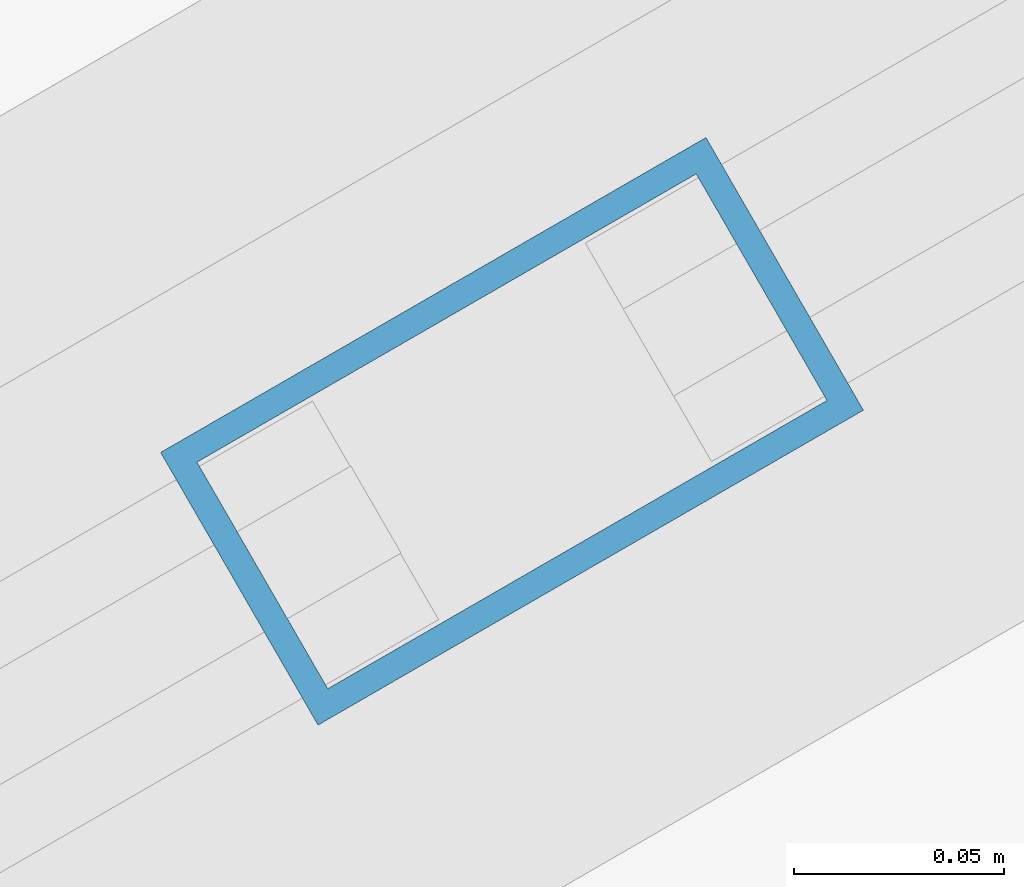
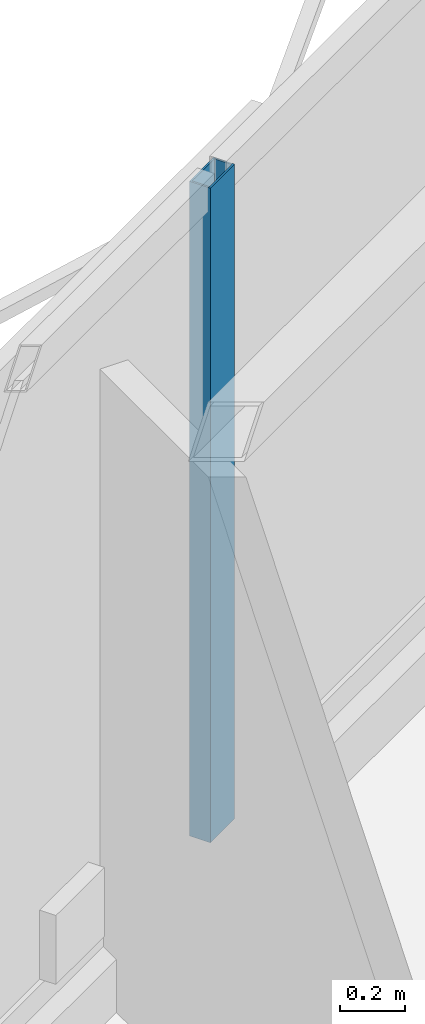
# One storey, part 11 of 23: 1 member, 1 element without a shape of its own.
"""IFC4 building model written with IfcOpenShell, lengths in metres."""

from ifc_helpers import new_model, si_unit, direction, frame, origin, origin_2d, place, context, subcontext, project, spatial, hollow_rectangle, extrude, material, layer, layer_set, material_profile, profile_set, type_object, element, aggregate, save


model = new_model("IFC4")

# Units and contexts
model_context = context("Model", 3, precision=1e-05, world=origin(), true_north=direction((0.0, 1.0)))
body_context = subcontext(model_context, "Body", "Model", "MODEL_VIEW")
ifc_project = project(units=[si_unit("LENGTHUNIT", "METRE"), si_unit("AREAUNIT", "SQUARE_METRE"), si_unit("VOLUMEUNIT", "CUBIC_METRE"), si_unit("PLANEANGLEUNIT", "RADIAN"), si_unit("MASSUNIT", "GRAM", prefix="KILO")], contexts=[model_context])

# Site, building, storey
site_placement = place(None, origin())
site = spatial("IfcSite", under=ifc_project, at=site_placement, CompositionType="ELEMENT")
building_placement = place(site_placement, origin())
building = spatial("IfcBuilding", under=site, at=building_placement, Name="Mersakhor Tower and Convention Hall", CompositionType="ELEMENT")
storey_placement = place(building_placement, frame((0.0, 0.0, 80.10009765625)))
storey = spatial("IfcBuildingStorey", under=building, at=storey_placement, Name="L21", CompositionType="ELEMENT", Elevation=80.10009765625)

# Curtain wall, member
ifc_material_1 = material(Name="Dark solar low-E aluminium curtain wall", Category="aluminium")
ifc_layer = layer(ifc_material_1, 0.159912109375)
ifc_layer_set = layer_set([ifc_layer], Name="Dark solar low-E aluminium curtain wall")
curtain_wall_type = type_object("IfcCurtainWallType", Name="CW-SYS-01", PredefinedType="USERDEFINED", material=ifc_layer_set)
curtain_wall_placement = place(storey_placement, origin())
curtain_wall = element("IfcCurtainWall", 1, at=curtain_wall_placement, inside=storey, type_object=curtain_wall_type, Name="L21 Dark-Glass Curtain Wall F1-B2", ObjectType="CURTAIN WALL", PredefinedType="USERDEFINED")
ifc_material_2 = material(Name="Anodised aluminium EN AW-6063 T6", Category="aluminium")
ifc_material_profile = material_profile(ifc_material_2, hollow_rectangle(XDim=0.074951171875, YDim=0.14990234375, WallThickness=0.00634765625, at=origin_2d()), Name="RHS 150x75x6.3")
ifc_profile_set = profile_set([ifc_material_profile], Name="Anodised aluminium EN AW-6063 T6")
member_type = type_object("IfcMemberType", Name="CWM-150x75", PredefinedType="MULLION", material=ifc_profile_set)
member_placement = place(storey_placement, frame((20.36181640625, 37.968505859375, 0.199951171875), z_axis=(0.0, 0.0, 1.0), x_axis=(-0.499997904985, 0.866026613339, 0.0)))
member = element("IfcMember", 2, at=member_placement, type_object=member_type, Name="CW-01 mullion 2", PredefinedType="MULLION", context=body_context, shape_type="SweptSolid", body=[
    extrude(hollow_rectangle(XDim=0.074951171875, YDim=0.14990234375, WallThickness=0.00634765625, at=origin_2d()), origin(), (0.0, 0.0, 1.0), 2.469970703125),
])
aggregate(curtain_wall, [member])

save(model, "model.ifc")
